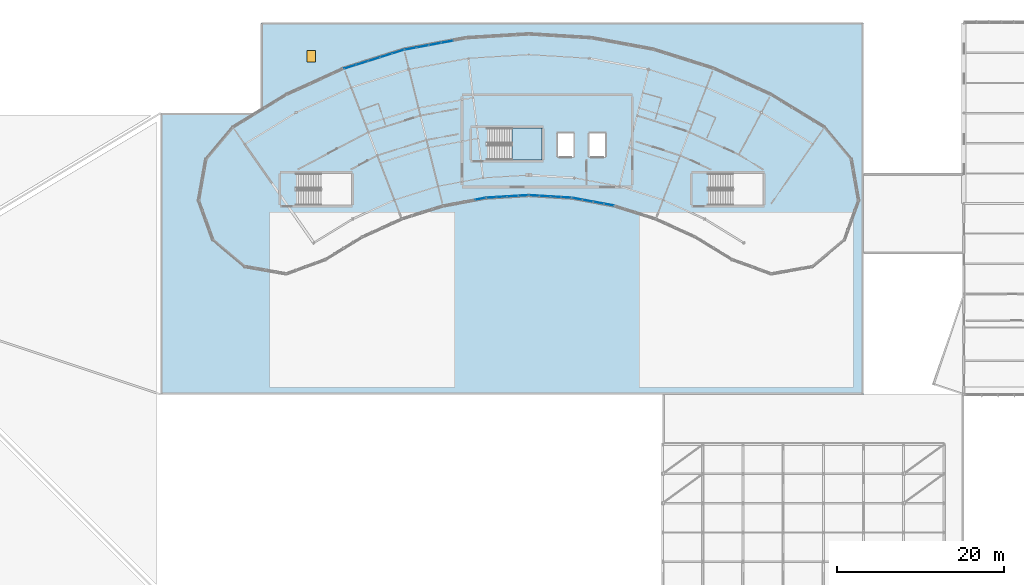
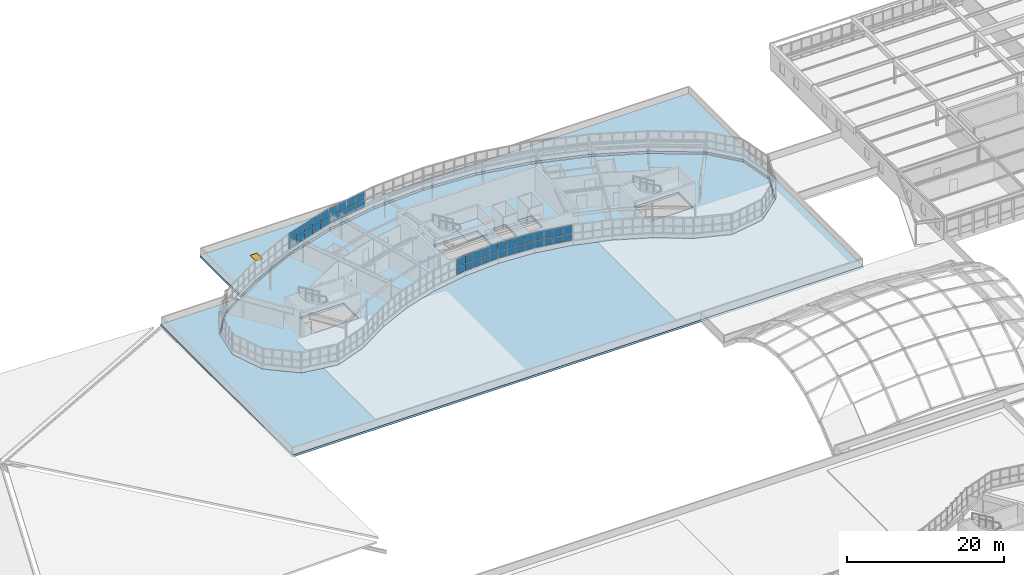
# One storey, part 76 of 128: 44 plates, 3 slabs, 1 door, 1 opening, 7 elements without a shape of their own.
"""IFC4 building model written with IfcOpenShell, lengths in metres."""

from ifc_helpers import new_model, si_unit, direction, frame, origin, origin_2d, place, context, subcontext, project, spatial, polyline, rectangle, outline, extrude, material, layer, layer_set, type_object, element, fill, aggregate, save


model = new_model("IFC4")

# Units and contexts
model_context = context("Model", 3, precision=1e-05, world=origin(), true_north=direction((0.0, 1.0)))
body_context = subcontext(model_context, "Body", "Model", "MODEL_VIEW")
ifc_project = project(units=[si_unit("LENGTHUNIT", "METRE"), si_unit("AREAUNIT", "SQUARE_METRE"), si_unit("VOLUMEUNIT", "CUBIC_METRE"), si_unit("PLANEANGLEUNIT", "RADIAN"), si_unit("MASSUNIT", "GRAM", prefix="KILO")], contexts=[model_context])

# Site, building, storey
site_placement = place(None, origin())
site = spatial("IfcSite", under=ifc_project, at=site_placement, CompositionType="ELEMENT")
building_placement = place(site_placement, origin())
building = spatial("IfcBuilding", under=site, at=building_placement, Name="Tarnwether General Hospital", CompositionType="ELEMENT")
storey_placement = place(building_placement, frame((0.0, 0.0, 14.39990234375)))
storey = spatial("IfcBuildingStorey", under=building, at=storey_placement, Name="L03", CompositionType="ELEMENT", Elevation=14.39990234375)

# Curtain wall, plates
ifc_material_1 = material(Name="Anodised aluminium", Category="aluminium")
ifc_layer_1 = layer(ifc_material_1, 0.159912109375)
ifc_layer_set_1 = layer_set([ifc_layer_1], Name="Anodised aluminium")
curtain_wall_type_1 = type_object("IfcCurtainWallType", Name="CW-03", PredefinedType="NOTDEFINED", material=ifc_layer_set_1)
curtain_wall_1_placement = place(storey_placement, origin())
curtain_wall_1 = element("IfcCurtainWall", 1, at=curtain_wall_1_placement, inside=storey, type_object=curtain_wall_type_1, Name="Curtain Wall CWG-L03-868_1051-0009", PredefinedType="NOTDEFINED")
ifc_material_2 = material(Name="Double glazed low-E glass", Category="glass")
ifc_layer_2 = layer(ifc_material_2, 0.028076171875)
ifc_layer_set_2 = layer_set([ifc_layer_2], Name="Double glazed low-E glass")
plate_type_1 = type_object("IfcPlateType", Name="PT-CWP1", PredefinedType="CURTAIN_PANEL", material=ifc_layer_set_2)
plate_1_placement = place(storey_placement, frame((86.181884765625, 104.96337890625, 1.110107421875), z_axis=(0.0, 0.0, 1.0), x_axis=(-0.983267910924, -0.182165351666, 0.0)))
plate_1 = element("IfcPlate", 2, at=plate_1_placement, type_object=plate_type_1, Name="CW-03 panel 1.1", PredefinedType="CURTAIN_PANEL", context=body_context, shape_type="SweptSolid", body=[
    extrude(rectangle(XDim=1.2041015625, YDim=0.028076171875, at=origin_2d()), origin(), (0.0, 0.0, 1.0), 1.03955078125),
])
plate_2_placement = place(storey_placement, frame((86.181884765625, 104.96337890625, 2.20947265625), z_axis=(0.0, 0.0, 1.0), x_axis=(-0.983267910924, -0.182165351666, 0.0)))
plate_2 = element("IfcPlate", 3, at=plate_2_placement, type_object=plate_type_1, Name="CW-03 panel 1.2", PredefinedType="CURTAIN_PANEL", context=body_context, shape_type="SweptSolid", body=[
    extrude(rectangle(XDim=1.2041015625, YDim=0.028076171875, at=origin_2d()), origin(), (0.0, 0.0, 1.0), 1.29052734375),
])
aggregate(curtain_wall_1, [plate_1, plate_2])

curtain_wall_2_placement = place(storey_placement, origin())
curtain_wall_2 = element("IfcCurtainWall", 4, at=curtain_wall_2_placement, inside=storey, type_object=curtain_wall_type_1, Name="Curtain Wall CWG-L03-972_1051-0011", PredefinedType="NOTDEFINED")
plate_3_placement = place(storey_placement, frame((96.5048828125, 105.12451171875, 1.115234375), z_axis=(0.0, 0.0, 1.0), x_axis=(-0.998135119267, 0.06104329354, 0.0)))
plate_3 = element("IfcPlate", 5, at=plate_3_placement, type_object=plate_type_1, Name="CW-03 panel 1.1", PredefinedType="CURTAIN_PANEL", context=body_context, shape_type="SweptSolid", body=[
    extrude(rectangle(XDim=1.19677734375, YDim=0.028076171875, at=origin_2d()), origin(), (0.0, 0.0, 1.0), 1.031982421875),
])
plate_4_placement = place(storey_placement, frame((96.5048828125, 105.12451171875, 2.2119140625), z_axis=(0.0, 0.0, 1.0), x_axis=(-0.998135119267, 0.06104329354, 0.0)))
plate_4 = element("IfcPlate", 6, at=plate_4_placement, type_object=plate_type_1, Name="CW-03 panel 1.2", PredefinedType="CURTAIN_PANEL", context=body_context, shape_type="SweptSolid", body=[
    extrude(rectangle(XDim=1.19677734375, YDim=0.028076171875, at=origin_2d()), origin(), (0.0, 0.0, 1.0), 1.282958984375),
])
plate_5_placement = place(storey_placement, frame((95.2294921875, 105.202392578125, 1.115234375), z_axis=(0.0, 0.0, 1.0), x_axis=(-0.998135119267, 0.06104329354, 0.0)))
plate_5 = element("IfcPlate", 7, at=plate_5_placement, type_object=plate_type_1, Name="CW-03 panel 2.1", PredefinedType="CURTAIN_PANEL", context=body_context, shape_type="SweptSolid", body=[
    extrude(rectangle(XDim=1.229248046875, YDim=0.028076171875, at=origin_2d()), origin(), (0.0, 0.0, 1.0), 1.031982421875),
])
plate_6_placement = place(storey_placement, frame((95.2294921875, 105.202392578125, 2.2119140625), z_axis=(0.0, 0.0, 1.0), x_axis=(-0.998135119267, 0.06104329354, 0.0)))
plate_6 = element("IfcPlate", 8, at=plate_6_placement, type_object=plate_type_1, Name="CW-03 panel 2.2", PredefinedType="CURTAIN_PANEL", context=body_context, shape_type="SweptSolid", body=[
    extrude(rectangle(XDim=1.229248046875, YDim=0.028076171875, at=origin_2d()), origin(), (0.0, 0.0, 1.0), 1.282958984375),
])
plate_7_placement = place(storey_placement, frame((93.937744140625, 105.281494140625, 1.115234375), z_axis=(0.0, 0.0, 1.0), x_axis=(-0.998135119267, 0.06104329354, 0.0)))
plate_7 = element("IfcPlate", 9, at=plate_7_placement, type_object=plate_type_1, Name="CW-03 panel 3.1", PredefinedType="CURTAIN_PANEL", context=body_context, shape_type="SweptSolid", body=[
    extrude(rectangle(XDim=1.229248046875, YDim=0.028076171875, at=origin_2d()), origin(), (0.0, 0.0, 1.0), 1.031982421875),
])
plate_8_placement = place(storey_placement, frame((93.937744140625, 105.281494140625, 2.2119140625), z_axis=(0.0, 0.0, 1.0), x_axis=(-0.998135119267, 0.06104329354, 0.0)))
plate_8 = element("IfcPlate", 10, at=plate_8_placement, type_object=plate_type_1, Name="CW-03 panel 3.2", PredefinedType="CURTAIN_PANEL", context=body_context, shape_type="SweptSolid", body=[
    extrude(rectangle(XDim=1.229248046875, YDim=0.028076171875, at=origin_2d()), origin(), (0.0, 0.0, 1.0), 1.282958984375),
])
plate_9_placement = place(storey_placement, frame((92.662109375, 105.359619140625, 1.115234375), z_axis=(0.0, 0.0, 1.0), x_axis=(-0.998135119267, 0.06104329354, 0.0)))
plate_9 = element("IfcPlate", 11, at=plate_9_placement, type_object=plate_type_1, Name="CW-03 panel 4.1", PredefinedType="CURTAIN_PANEL", context=body_context, shape_type="SweptSolid", body=[
    extrude(rectangle(XDim=1.19677734375, YDim=0.028076171875, at=origin_2d()), origin(), (0.0, 0.0, 1.0), 1.031982421875),
])
plate_10_placement = place(storey_placement, frame((92.662109375, 105.359619140625, 2.2119140625), z_axis=(0.0, 0.0, 1.0), x_axis=(-0.998135119267, 0.06104329354, 0.0)))
plate_10 = element("IfcPlate", 12, at=plate_10_placement, type_object=plate_type_1, Name="CW-03 panel 4.2", PredefinedType="CURTAIN_PANEL", context=body_context, shape_type="SweptSolid", body=[
    extrude(rectangle(XDim=1.19677734375, YDim=0.028076171875, at=origin_2d()), origin(), (0.0, 0.0, 1.0), 1.282958984375),
])
aggregate(curtain_wall_2, [plate_3, plate_4, plate_5, plate_6, plate_7, plate_8, plate_9, plate_10])

curtain_wall_3_placement = place(storey_placement, origin())
curtain_wall_3 = element("IfcCurtainWall", 13, at=curtain_wall_3_placement, inside=storey, type_object=curtain_wall_type_1, Name="Curtain Wall CWG-L03-1023_1041-0012", PredefinedType="NOTDEFINED")
plate_11_placement = place(storey_placement, frame((101.60107421875, 104.262451171875, 1.1298828125), z_axis=(0.0, 0.0, 1.0), x_axis=(-0.983267910924, 0.182165351666, 0.0)))
plate_11 = element("IfcPlate", 14, at=plate_11_placement, type_object=plate_type_1, Name="CW-03 panel 1.1", PredefinedType="CURTAIN_PANEL", context=body_context, shape_type="SweptSolid", body=[
    extrude(rectangle(XDim=1.174072265625, YDim=0.028076171875, at=origin_2d()), origin(), (0.0, 0.0, 1.0), 1.009521484375),
])
plate_12_placement = place(storey_placement, frame((101.60107421875, 104.262451171875, 2.2197265625), z_axis=(0.0, 0.0, 1.0), x_axis=(-0.983267910924, 0.182165351666, 0.0)))
plate_12 = element("IfcPlate", 15, at=plate_12_placement, type_object=plate_type_1, Name="CW-03 panel 1.2", PredefinedType="CURTAIN_PANEL", context=body_context, shape_type="SweptSolid", body=[
    extrude(rectangle(XDim=1.174072265625, YDim=0.028076171875, at=origin_2d()), origin(), (0.0, 0.0, 1.0), 1.260498046875),
])
plate_13_placement = place(storey_placement, frame((100.34814453125, 104.49462890625, 1.1298828125), z_axis=(0.0, 0.0, 1.0), x_axis=(-0.983267910924, 0.182165351666, 0.0)))
plate_13 = element("IfcPlate", 16, at=plate_13_placement, type_object=plate_type_1, Name="CW-03 panel 2.1", PredefinedType="CURTAIN_PANEL", context=body_context, shape_type="SweptSolid", body=[
    extrude(rectangle(XDim=1.214111328125, YDim=0.028076171875, at=origin_2d()), origin(), (0.0, 0.0, 1.0), 1.009521484375),
])
plate_14_placement = place(storey_placement, frame((100.34814453125, 104.49462890625, 2.2197265625), z_axis=(0.0, 0.0, 1.0), x_axis=(-0.983267910924, 0.182165351666, 0.0)))
plate_14 = element("IfcPlate", 17, at=plate_14_placement, type_object=plate_type_1, Name="CW-03 panel 2.2", PredefinedType="CURTAIN_PANEL", context=body_context, shape_type="SweptSolid", body=[
    extrude(rectangle(XDim=1.214111328125, YDim=0.028076171875, at=origin_2d()), origin(), (0.0, 0.0, 1.0), 1.260498046875),
])
plate_15_placement = place(storey_placement, frame((99.07568359375, 104.73046875, 1.1298828125), z_axis=(0.0, 0.0, 1.0), x_axis=(-0.983267910924, 0.182165351666, 0.0)))
plate_15 = element("IfcPlate", 18, at=plate_15_placement, type_object=plate_type_1, Name="CW-03 panel 3.1", PredefinedType="CURTAIN_PANEL", context=body_context, shape_type="SweptSolid", body=[
    extrude(rectangle(XDim=1.214111328125, YDim=0.028076171875, at=origin_2d()), origin(), (0.0, 0.0, 1.0), 1.009521484375),
])
plate_16_placement = place(storey_placement, frame((99.07568359375, 104.73046875, 2.2197265625), z_axis=(0.0, 0.0, 1.0), x_axis=(-0.983267910924, 0.182165351666, 0.0)))
plate_16 = element("IfcPlate", 19, at=plate_16_placement, type_object=plate_type_1, Name="CW-03 panel 3.2", PredefinedType="CURTAIN_PANEL", context=body_context, shape_type="SweptSolid", body=[
    extrude(rectangle(XDim=1.214111328125, YDim=0.028076171875, at=origin_2d()), origin(), (0.0, 0.0, 1.0), 1.260498046875),
])
plate_17_placement = place(storey_placement, frame((97.822998046875, 104.96240234375, 1.1298828125), z_axis=(0.0, 0.0, 1.0), x_axis=(-0.983267910924, 0.182165351666, 0.0)))
plate_17 = element("IfcPlate", 20, at=plate_17_placement, type_object=plate_type_1, Name="CW-03 panel 4.1", PredefinedType="CURTAIN_PANEL", context=body_context, shape_type="SweptSolid", body=[
    extrude(rectangle(XDim=1.174072265625, YDim=0.028076171875, at=origin_2d()), origin(), (0.0, 0.0, 1.0), 1.009521484375),
])
plate_18_placement = place(storey_placement, frame((97.822998046875, 104.96240234375, 2.2197265625), z_axis=(0.0, 0.0, 1.0), x_axis=(-0.983267910924, 0.182165351666, 0.0)))
plate_18 = element("IfcPlate", 21, at=plate_18_placement, type_object=plate_type_1, Name="CW-03 panel 4.2", PredefinedType="CURTAIN_PANEL", context=body_context, shape_type="SweptSolid", body=[
    extrude(rectangle(XDim=1.174072265625, YDim=0.028076171875, at=origin_2d()), origin(), (0.0, 0.0, 1.0), 1.260498046875),
])
aggregate(curtain_wall_3, [plate_11, plate_12, plate_13, plate_14, plate_15, plate_16, plate_17, plate_18])

ifc_material_3 = material(Name="Anodised aluminium", Category="aluminium")
ifc_layer_3 = layer(ifc_material_3, 0.159912109375)
ifc_layer_set_3 = layer_set([ifc_layer_3], Name="Anodised aluminium")
curtain_wall_type_2 = type_object("IfcCurtainWallType", Name="CW-01", PredefinedType="NOTDEFINED", material=ifc_layer_set_3)
curtain_wall_4_placement = place(storey_placement, origin())
curtain_wall_4 = element("IfcCurtainWall", 22, at=curtain_wall_4_placement, inside=storey, type_object=curtain_wall_type_2, Name="Curtain Wall CWG-L03-699_1205-0029", PredefinedType="NOTDEFINED")
plate_19_placement = place(storey_placement, frame((70.656494140625, 120.739501953125, 1.110107421875), z_axis=(0.0, 0.0, 1.0), x_axis=(0.953741284032, 0.300628613299, 0.0)))
plate_19 = element("IfcPlate", 23, at=plate_19_placement, type_object=plate_type_1, Name="CW-01 panel 1.1", PredefinedType="CURTAIN_PANEL", context=body_context, shape_type="SweptSolid", body=[
    extrude(rectangle(XDim=1.4140625, YDim=0.028076171875, at=origin_2d()), origin(), (0.0, 0.0, 1.0), 1.03955078125),
])
plate_20_placement = place(storey_placement, frame((70.656494140625, 120.739501953125, 2.20947265625), z_axis=(0.0, 0.0, 1.0), x_axis=(0.953741284032, 0.300628613299, 0.0)))
plate_20 = element("IfcPlate", 24, at=plate_20_placement, type_object=plate_type_1, Name="CW-01 panel 1.2", PredefinedType="CURTAIN_PANEL", context=body_context, shape_type="SweptSolid", body=[
    extrude(rectangle(XDim=1.4140625, YDim=0.028076171875, at=origin_2d()), origin(), (0.0, 0.0, 1.0), 1.29052734375),
])
plate_21_placement = place(storey_placement, frame((72.076904296875, 121.187255859375, 1.110107421875), z_axis=(0.0, 0.0, 1.0), x_axis=(0.953741284032, 0.300628613299, 0.0)))
plate_21 = element("IfcPlate", 25, at=plate_21_placement, type_object=plate_type_1, Name="CW-01 panel 2.1", PredefinedType="CURTAIN_PANEL", context=body_context, shape_type="SweptSolid", body=[
    extrude(rectangle(XDim=1.444091796875, YDim=0.028076171875, at=origin_2d()), origin(), (0.0, 0.0, 1.0), 1.03955078125),
])
plate_22_placement = place(storey_placement, frame((72.076904296875, 121.187255859375, 2.20947265625), z_axis=(0.0, 0.0, 1.0), x_axis=(0.953741284032, 0.300628613299, 0.0)))
plate_22 = element("IfcPlate", 26, at=plate_22_placement, type_object=plate_type_1, Name="CW-01 panel 2.2", PredefinedType="CURTAIN_PANEL", context=body_context, shape_type="SweptSolid", body=[
    extrude(rectangle(XDim=1.444091796875, YDim=0.028076171875, at=origin_2d()), origin(), (0.0, 0.0, 1.0), 1.29052734375),
])
plate_23_placement = place(storey_placement, frame((73.511474609375, 121.639404296875, 1.110107421875), z_axis=(0.0, 0.0, 1.0), x_axis=(0.953741284032, 0.300628613299, 0.0)))
plate_23 = element("IfcPlate", 27, at=plate_23_placement, type_object=plate_type_1, Name="CW-01 panel 3.1", PredefinedType="CURTAIN_PANEL", context=body_context, shape_type="SweptSolid", body=[
    extrude(rectangle(XDim=1.444091796875, YDim=0.028076171875, at=origin_2d()), origin(), (0.0, 0.0, 1.0), 1.03955078125),
])
plate_24_placement = place(storey_placement, frame((73.511474609375, 121.639404296875, 2.20947265625), z_axis=(0.0, 0.0, 1.0), x_axis=(0.953741284032, 0.300628613299, 0.0)))
plate_24 = element("IfcPlate", 28, at=plate_24_placement, type_object=plate_type_1, Name="CW-01 panel 3.2", PredefinedType="CURTAIN_PANEL", context=body_context, shape_type="SweptSolid", body=[
    extrude(rectangle(XDim=1.444091796875, YDim=0.028076171875, at=origin_2d()), origin(), (0.0, 0.0, 1.0), 1.29052734375),
])
plate_25_placement = place(storey_placement, frame((74.946044921875, 122.091796875, 1.110107421875), z_axis=(0.0, 0.0, 1.0), x_axis=(0.953741284032, 0.300628613299, 0.0)))
plate_25 = element("IfcPlate", 29, at=plate_25_placement, type_object=plate_type_1, Name="CW-01 panel 4.1", PredefinedType="CURTAIN_PANEL", context=body_context, shape_type="SweptSolid", body=[
    extrude(rectangle(XDim=1.444091796875, YDim=0.028076171875, at=origin_2d()), origin(), (0.0, 0.0, 1.0), 1.03955078125),
])
plate_26_placement = place(storey_placement, frame((74.946044921875, 122.091796875, 2.20947265625), z_axis=(0.0, 0.0, 1.0), x_axis=(0.953741284032, 0.300628613299, 0.0)))
plate_26 = element("IfcPlate", 30, at=plate_26_placement, type_object=plate_type_1, Name="CW-01 panel 4.2", PredefinedType="CURTAIN_PANEL", context=body_context, shape_type="SweptSolid", body=[
    extrude(rectangle(XDim=1.444091796875, YDim=0.028076171875, at=origin_2d()), origin(), (0.0, 0.0, 1.0), 1.29052734375),
])
plate_27_placement = place(storey_placement, frame((76.366455078125, 122.539306640625, 1.110107421875), z_axis=(0.0, 0.0, 1.0), x_axis=(0.953741284032, 0.300628613299, 0.0)))
plate_27 = element("IfcPlate", 31, at=plate_27_placement, type_object=plate_type_1, Name="CW-01 panel 5.1", PredefinedType="CURTAIN_PANEL", context=body_context, shape_type="SweptSolid", body=[
    extrude(rectangle(XDim=1.4140625, YDim=0.028076171875, at=origin_2d()), origin(), (0.0, 0.0, 1.0), 1.03955078125),
])
plate_28_placement = place(storey_placement, frame((76.366455078125, 122.539306640625, 2.20947265625), z_axis=(0.0, 0.0, 1.0), x_axis=(0.953741284032, 0.300628613299, 0.0)))
plate_28 = element("IfcPlate", 32, at=plate_28_placement, type_object=plate_type_1, Name="CW-01 panel 5.2", PredefinedType="CURTAIN_PANEL", context=body_context, shape_type="SweptSolid", body=[
    extrude(rectangle(XDim=1.4140625, YDim=0.028076171875, at=origin_2d()), origin(), (0.0, 0.0, 1.0), 1.29052734375),
])
aggregate(curtain_wall_4, [plate_19, plate_20, plate_21, plate_22, plate_23, plate_24, plate_25, plate_26, plate_27, plate_28])

curtain_wall_5_placement = place(storey_placement, origin())
curtain_wall_5 = element("IfcCurtainWall", 33, at=curtain_wall_5_placement, inside=storey, type_object=curtain_wall_type_1, Name="Curtain Wall CWG-L03-920_1054-0010", PredefinedType="NOTDEFINED")
ifc_material_4 = material(Name="Double glazed low-E glass", Category="glass")
ifc_layer_4 = layer(ifc_material_4, 0.035888671875)
ifc_layer_set_4 = layer_set([ifc_layer_4], Name="Double glazed low-E glass")
plate_type_2 = type_object("IfcPlateType", Name="PT-CWP2", PredefinedType="CURTAIN_PANEL", material=ifc_layer_set_4)
plate_29_placement = place(storey_placement, frame((91.336669921875, 105.359375, 1.1201171875), z_axis=(0.0, 0.0, 1.0), x_axis=(-0.998135119267, -0.06104329354, 0.0)))
plate_29 = element("IfcPlate", 34, at=plate_29_placement, type_object=plate_type_2, Name="CW-03 panel 1.1", PredefinedType="CURTAIN_PANEL", context=body_context, shape_type="SweptSolid", body=[
    extrude(rectangle(XDim=1.189208984375, YDim=0.035888671875, at=origin_2d()), origin(), (0.0, 0.0, 1.0), 1.0244140625),
])
plate_30_placement = place(storey_placement, frame((91.336669921875, 105.359375, 2.214599609375), z_axis=(0.0, 0.0, 1.0), x_axis=(-0.998135119267, -0.06104329354, 0.0)))
plate_30 = element("IfcPlate", 35, at=plate_30_placement, type_object=plate_type_2, Name="CW-03 panel 1.2", PredefinedType="CURTAIN_PANEL", context=body_context, shape_type="SweptSolid", body=[
    extrude(rectangle(XDim=1.189208984375, YDim=0.035888671875, at=origin_2d()), origin(), (0.0, 0.0, 1.0), 1.275390625),
])
plate_31_placement = place(storey_placement, frame((90.062255859375, 105.281494140625, 1.1201171875), z_axis=(0.0, 0.0, 1.0), x_axis=(-0.998135119267, -0.06104329354, 0.0)))
plate_31 = element("IfcPlate", 36, at=plate_31_placement, type_object=plate_type_2, Name="CW-03 panel 2.1", PredefinedType="CURTAIN_PANEL", context=body_context, shape_type="SweptSolid", body=[
    extrude(rectangle(XDim=1.22412109375, YDim=0.035888671875, at=origin_2d()), origin(), (0.0, 0.0, 1.0), 1.0244140625),
])
plate_32_placement = place(storey_placement, frame((90.062255859375, 105.281494140625, 2.214599609375), z_axis=(0.0, 0.0, 1.0), x_axis=(-0.998135119267, -0.06104329354, 0.0)))
plate_32 = element("IfcPlate", 37, at=plate_32_placement, type_object=plate_type_2, Name="CW-03 panel 2.2", PredefinedType="CURTAIN_PANEL", context=body_context, shape_type="SweptSolid", body=[
    extrude(rectangle(XDim=1.22412109375, YDim=0.035888671875, at=origin_2d()), origin(), (0.0, 0.0, 1.0), 1.275390625),
])
plate_33_placement = place(storey_placement, frame((88.7705078125, 105.202392578125, 1.1201171875), z_axis=(0.0, 0.0, 1.0), x_axis=(-0.998135119267, -0.06104329354, 0.0)))
plate_33 = element("IfcPlate", 38, at=plate_33_placement, type_object=plate_type_2, Name="CW-03 panel 3.1", PredefinedType="CURTAIN_PANEL", context=body_context, shape_type="SweptSolid", body=[
    extrude(rectangle(XDim=1.22412109375, YDim=0.035888671875, at=origin_2d()), origin(), (0.0, 0.0, 1.0), 1.0244140625),
])
plate_34_placement = place(storey_placement, frame((88.7705078125, 105.202392578125, 2.214599609375), z_axis=(0.0, 0.0, 1.0), x_axis=(-0.998135119267, -0.06104329354, 0.0)))
plate_34 = element("IfcPlate", 39, at=plate_34_placement, type_object=plate_type_2, Name="CW-03 panel 3.2", PredefinedType="CURTAIN_PANEL", context=body_context, shape_type="SweptSolid", body=[
    extrude(rectangle(XDim=1.22412109375, YDim=0.035888671875, at=origin_2d()), origin(), (0.0, 0.0, 1.0), 1.275390625),
])
plate_35_placement = place(storey_placement, frame((87.496337890625, 105.12451171875, 1.1201171875), z_axis=(0.0, 0.0, 1.0), x_axis=(-0.998135119267, -0.06104329354, 0.0)))
plate_35 = element("IfcPlate", 40, at=plate_35_placement, type_object=plate_type_2, Name="CW-03 panel 4.1", PredefinedType="CURTAIN_PANEL", context=body_context, shape_type="SweptSolid", body=[
    extrude(rectangle(XDim=1.189208984375, YDim=0.035888671875, at=origin_2d()), origin(), (0.0, 0.0, 1.0), 1.0244140625),
])
plate_36_placement = place(storey_placement, frame((87.496337890625, 105.12451171875, 2.214599609375), z_axis=(0.0, 0.0, 1.0), x_axis=(-0.998135119267, -0.06104329354, 0.0)))
plate_36 = element("IfcPlate", 41, at=plate_36_placement, type_object=plate_type_2, Name="CW-03 panel 4.2", PredefinedType="CURTAIN_PANEL", context=body_context, shape_type="SweptSolid", body=[
    extrude(rectangle(XDim=1.189208984375, YDim=0.035888671875, at=origin_2d()), origin(), (0.0, 0.0, 1.0), 1.275390625),
])
aggregate(curtain_wall_5, [plate_29, plate_30, plate_31, plate_32, plate_33, plate_34, plate_35, plate_36])

curtain_wall_6_placement = place(storey_placement, origin())
curtain_wall_6 = element("IfcCurtainWall", 42, at=curtain_wall_6_placement, inside=storey, type_object=curtain_wall_type_2, Name="Curtain Wall CWG-L03-771_1228-0028", PredefinedType="NOTDEFINED")
plate_37_placement = place(storey_placement, frame((77.857177734375, 122.91064453125, 1.1298828125), z_axis=(0.0, 0.0, 1.0), x_axis=(0.983244953132, 0.182289226614, 0.0)))
plate_37 = element("IfcPlate", 43, at=plate_37_placement, type_object=plate_type_2, Name="CW-01 panel 1.1", PredefinedType="CURTAIN_PANEL", context=body_context, shape_type="SweptSolid", body=[
    extrude(rectangle(XDim=1.38427734375, YDim=0.035888671875, at=origin_2d()), origin(), (0.0, 0.0, 1.0), 1.009521484375),
])
plate_38_placement = place(storey_placement, frame((77.857177734375, 122.91064453125, 2.2197265625), z_axis=(0.0, 0.0, 1.0), x_axis=(0.983244953132, 0.182289226614, 0.0)))
plate_38 = element("IfcPlate", 44, at=plate_38_placement, type_object=plate_type_2, Name="CW-01 panel 1.2", PredefinedType="CURTAIN_PANEL", context=body_context, shape_type="SweptSolid", body=[
    extrude(rectangle(XDim=1.38427734375, YDim=0.035888671875, at=origin_2d()), origin(), (0.0, 0.0, 1.0), 1.260498046875),
])
plate_39_placement = place(storey_placement, frame((79.31640625, 123.181396484375, 1.1298828125), z_axis=(0.0, 0.0, 1.0), x_axis=(0.983244953132, 0.182289226614, 0.0)))
plate_39 = element("IfcPlate", 45, at=plate_39_placement, type_object=plate_type_2, Name="CW-01 panel 2.1", PredefinedType="CURTAIN_PANEL", context=body_context, shape_type="SweptSolid", body=[
    extrude(rectangle(XDim=1.42431640625, YDim=0.035888671875, at=origin_2d()), origin(), (0.0, 0.0, 1.0), 1.009521484375),
])
plate_40_placement = place(storey_placement, frame((79.31640625, 123.181396484375, 2.2197265625), z_axis=(0.0, 0.0, 1.0), x_axis=(0.983244953132, 0.182289226614, 0.0)))
plate_40 = element("IfcPlate", 46, at=plate_40_placement, type_object=plate_type_2, Name="CW-01 panel 2.2", PredefinedType="CURTAIN_PANEL", context=body_context, shape_type="SweptSolid", body=[
    extrude(rectangle(XDim=1.42431640625, YDim=0.035888671875, at=origin_2d()), origin(), (0.0, 0.0, 1.0), 1.260498046875),
])
plate_41_placement = place(storey_placement, frame((80.79541015625, 123.45556640625, 1.1298828125), z_axis=(0.0, 0.0, 1.0), x_axis=(0.983244953132, 0.182289226614, 0.0)))
plate_41 = element("IfcPlate", 47, at=plate_41_placement, type_object=plate_type_2, Name="CW-01 panel 3.1", PredefinedType="CURTAIN_PANEL", context=body_context, shape_type="SweptSolid", body=[
    extrude(rectangle(XDim=1.42431640625, YDim=0.035888671875, at=origin_2d()), origin(), (0.0, 0.0, 1.0), 1.009521484375),
])
plate_42_placement = place(storey_placement, frame((80.79541015625, 123.45556640625, 2.2197265625), z_axis=(0.0, 0.0, 1.0), x_axis=(0.983244953132, 0.182289226614, 0.0)))
plate_42 = element("IfcPlate", 48, at=plate_42_placement, type_object=plate_type_2, Name="CW-01 panel 3.2", PredefinedType="CURTAIN_PANEL", context=body_context, shape_type="SweptSolid", body=[
    extrude(rectangle(XDim=1.42431640625, YDim=0.035888671875, at=origin_2d()), origin(), (0.0, 0.0, 1.0), 1.260498046875),
])
plate_43_placement = place(storey_placement, frame((82.2744140625, 123.729736328125, 1.1298828125), z_axis=(0.0, 0.0, 1.0), x_axis=(0.983244953132, 0.182289226614, 0.0)))
plate_43 = element("IfcPlate", 49, at=plate_43_placement, type_object=plate_type_2, Name="CW-01 panel 4.1", PredefinedType="CURTAIN_PANEL", context=body_context, shape_type="SweptSolid", body=[
    extrude(rectangle(XDim=1.42431640625, YDim=0.035888671875, at=origin_2d()), origin(), (0.0, 0.0, 1.0), 1.009521484375),
])
plate_44_placement = place(storey_placement, frame((82.2744140625, 123.729736328125, 2.2197265625), z_axis=(0.0, 0.0, 1.0), x_axis=(0.983244953132, 0.182289226614, 0.0)))
plate_44 = element("IfcPlate", 50, at=plate_44_placement, type_object=plate_type_2, Name="CW-01 panel 4.2", PredefinedType="CURTAIN_PANEL", context=body_context, shape_type="SweptSolid", body=[
    extrude(rectangle(XDim=1.42431640625, YDim=0.035888671875, at=origin_2d()), origin(), (0.0, 0.0, 1.0), 1.260498046875),
])
aggregate(curtain_wall_6, [plate_37, plate_38, plate_39, plate_40, plate_41, plate_42, plate_43, plate_44])

# Slab
ifc_material_5 = material(Name="Concrete 40 MPa", Category="concrete")
ifc_layer_5 = layer(ifc_material_5, 0.3701171875)
ifc_layer_set_5 = layer_set([ifc_layer_5], Name="Concrete 40 MPa")
slab_type_1 = type_object("IfcSlabType", Name="SL-FL260", PredefinedType="FLOOR", material=ifc_layer_set_5)
slab_1_placement = place(storey_placement, frame((0.0, 0.0, -0.369873046875)))
element("IfcSlab", 51, at=slab_1_placement, inside=storey, type_object=slab_type_1, Name="L03 North-West Curved Ward Transfer Floor SL-L03-WNW", PredefinedType="FLOOR", context=body_context, shape_type="SweptSolid", body=[
    extrude(outline(polyline([(56.66796875, 113.4599609375), (63.0810546875, 117.389892578125), (69.925048828125, 120.509033203125), (77.097900390625, 122.77001953125), (84.492919921875, 124.14111328125), (92.0, 124.60009765625), (99.507080078125, 124.14111328125), (106.902099609375, 122.77001953125), (114.074951171875, 120.509033203125), (120.9189453125, 117.389892578125), (127.33203125, 113.4599609375), (130.527099609375, 109.653076171875), (131.388916015625, 104.759033203125), (129.68994140625, 100.090087890625), (125.883056640625, 96.89501953125), (120.989013671875, 96.031982421875), (116.320068359375, 97.73193359375), (111.906005859375, 100.43701171875), (107.195068359375, 102.583984375), (102.257080078125, 104.14111328125), (97.1669921875, 105.083984375), (92.0, 105.39990234375), (86.8330078125, 105.083984375), (81.742919921875, 104.14111328125), (76.804931640625, 102.583984375), (72.093994140625, 100.43701171875), (67.679931640625, 97.73193359375), (63.010986328125, 96.031982421875), (58.116943359375, 96.89501953125), (54.31005859375, 100.090087890625), (52.611083984375, 104.759033203125), (53.472900390625, 109.653076171875), (56.66796875, 113.4599609375)]), holes=[polyline([(70.800048828125, 108.0), (64.3798828125, 108.0), (64.3798828125, 104.199951171875), (70.800048828125, 104.199951171875), (70.800048828125, 108.0)]), polyline([(97.3798828125, 112.830078125), (95.419921875, 112.830078125), (95.419921875, 109.969970703125), (97.3798828125, 109.969970703125), (97.3798828125, 112.830078125)]), polyline([(101.179931640625, 112.830078125), (99.219970703125, 112.830078125), (99.219970703125, 109.969970703125), (101.179931640625, 109.969970703125), (101.179931640625, 112.830078125)]), polyline([(93.60009765625, 113.39990234375), (87.179931640625, 113.39990234375), (87.179931640625, 109.60009765625), (93.60009765625, 109.60009765625), (93.60009765625, 113.39990234375)]), polyline([(120.0, 108.0), (113.580078125, 108.0), (113.580078125, 104.199951171875), (120.0, 104.199951171875), (120.0, 108.0)])]), origin(), (0.0, 0.0, 1.0), 0.369873046875),
])

# Stair, slab
ifc_material_6 = material(Name="Concrete 40 MPa", Category="concrete")
stair_type = type_object("IfcStairType", Name="ST-DL39A", PredefinedType="HALF_TURN_STAIR", material=ifc_material_6)
stair_placement = place(storey_placement, origin())
stair = element("IfcStair", 52, at=stair_placement, inside=storey, type_object=stair_type, Name="L03 Exit Stair ST-01", PredefinedType="HALF_TURN_STAIR")
ifc_material_7 = material(Name="Concrete 40 MPa", Category="concrete")
ifc_layer_6 = layer(ifc_material_7, 0.199951171875)
ifc_layer_set_6 = layer_set([ifc_layer_6], Name="Concrete 40 MPa")
slab_type_2 = type_object("IfcSlabType", Name="SL-LD200", PredefinedType="LANDING", material=ifc_layer_set_6)
slab_2_placement = place(storey_placement, frame((0.0, 0.0, 1.75)))
slab_2 = element("IfcSlab", 53, at=slab_2_placement, type_object=slab_type_2, Name="ST-01 landing 1", PredefinedType="LANDING", context=body_context, shape_type="SweptSolid", body=[
    extrude(outline(polyline([(90.0, 109.60009765625), (93.60009765625, 109.60009765625), (93.60009765625, 113.39990234375), (90.0, 113.39990234375), (90.0, 109.60009765625)])), origin(), (0.0, 0.0, 1.0), 0.2001953125),
])
aggregate(stair, [slab_2])

# Slab, opening, door
ifc_material_8 = material(Name="Concrete 40 MPa", Category="concrete")
ifc_layer_7 = layer(ifc_material_8, 0.330078125)
ifc_layer_set_7 = layer_set([ifc_layer_7], Name="Concrete 40 MPa")
slab_type_3 = type_object("IfcSlabType", Name="SL-RF200", PredefinedType="ROOF", material=ifc_layer_set_7)
slab_3_placement = place(storey_placement, origin())
slab_3 = element("IfcSlab", 54, at=slab_3_placement, inside=storey, type_object=slab_type_3, Name="L03 North Podium Roof SL-L03-PRFN", PredefinedType="ROOF", context=body_context, shape_type="SweptSolid", body=[
    extrude(outline(polyline([(132.0, 81.60009765625), (48.0, 81.60009765625), (48.0, 115.199951171875), (59.412109375, 115.199951171875), (56.64208984375, 113.5029296875), (56.636962890625, 113.5), (56.633056640625, 113.49609375), (56.6298828125, 113.491943359375), (53.43505859375, 109.68505859375), (53.431884765625, 109.680908203125), (53.428955078125, 109.676025390625), (53.427001953125, 109.672119140625), (53.425048828125, 109.6669921875), (53.424072265625, 109.662109375), (52.56201171875, 104.76806640625), (52.56103515625, 104.761962890625), (52.56103515625, 104.757080078125), (52.56103515625, 104.751953125), (52.56201171875, 104.7470703125), (52.56396484375, 104.741943359375), (54.262939453125, 100.072998046875), (54.264892578125, 100.068115234375), (54.26806640625, 100.06396484375), (54.27099609375, 100.05908203125), (54.27392578125, 100.054931640625), (54.278076171875, 100.052001953125), (58.0849609375, 96.85693359375), (58.089111328125, 96.85400390625), (58.093994140625, 96.85107421875), (58.097900390625, 96.84912109375), (58.10302734375, 96.846923828125), (58.10791015625, 96.845947265625), (63.001953125, 95.98291015625), (63.008056640625, 95.98193359375), (63.012939453125, 95.98193359375), (63.01806640625, 95.98193359375), (63.02294921875, 95.98291015625), (63.028076171875, 95.985107421875), (67.697021484375, 97.68505859375), (67.701904296875, 97.68701171875), (67.7060546875, 97.68896484375), (72.117919921875, 100.39306640625), (76.822998046875, 102.537109375), (81.7548828125, 104.092041015625), (86.839111328125, 105.033935546875), (92.0, 105.35009765625), (97.160888671875, 105.033935546875), (102.2451171875, 104.092041015625), (107.177001953125, 102.537109375), (111.882080078125, 100.39306640625), (116.2939453125, 97.68896484375), (116.298095703125, 97.68701171875), (116.302978515625, 97.68505859375), (120.971923828125, 95.985107421875), (120.97705078125, 95.98291015625), (120.98193359375, 95.98193359375), (120.987060546875, 95.98193359375), (120.991943359375, 95.98193359375), (120.998046875, 95.98291015625), (125.89208984375, 96.845947265625), (125.89697265625, 96.846923828125), (125.902099609375, 96.84912109375), (125.906005859375, 96.85107421875), (125.910888671875, 96.85400390625), (125.9150390625, 96.85693359375), (129.721923828125, 100.052001953125), (129.72607421875, 100.054931640625), (129.72900390625, 100.05908203125), (129.73193359375, 100.06396484375), (129.735107421875, 100.068115234375), (129.737060546875, 100.072998046875), (131.43603515625, 104.741943359375), (131.43798828125, 104.7470703125), (131.43896484375, 104.751953125), (131.43896484375, 104.757080078125), (131.43896484375, 104.761962890625), (131.43798828125, 104.76806640625), (130.575927734375, 109.662109375), (130.574951171875, 109.6669921875), (130.572998046875, 109.672119140625), (130.571044921875, 109.676025390625), (130.568115234375, 109.680908203125), (130.56494140625, 109.68505859375), (127.3701171875, 113.491943359375), (127.366943359375, 113.49609375), (127.363037109375, 113.5), (127.35791015625, 113.5029296875), (120.945068359375, 117.43310546875), (120.93994140625, 117.43505859375), (114.095947265625, 120.553955078125), (114.090087890625, 120.556884765625), (106.9169921875, 122.818115234375), (106.910888671875, 122.819091796875), (99.51611328125, 124.18994140625), (99.510009765625, 124.19091796875), (92.0029296875, 124.64990234375), (91.9970703125, 124.64990234375), (84.489990234375, 124.19091796875), (84.48388671875, 124.18994140625), (77.089111328125, 122.819091796875), (77.0830078125, 122.818115234375), (69.909912109375, 120.556884765625), (69.904052734375, 120.553955078125), (63.06005859375, 117.43505859375), (63.054931640625, 117.43310546875), (60.0, 115.56103515625), (60.0, 126.0), (132.0, 126.0), (132.0, 81.60009765625)])), origin(), (0.0, 0.0, 1.0), 0.330078125),
])
opening_placement = place(slab_3_placement, frame((66.0, 122.0, 0.0)))
opening = element("IfcOpeningElement", 55, at=opening_placement, cuts=slab_3, Name="Opening RH-02", PredefinedType="OPENING", context=body_context, shape_type="SweptSolid", body=[
    extrude(rectangle(XDim=1.0, YDim=1.39990234375, at=origin_2d()), origin(), (0.0, 0.0, 1.0), 0.330078125),
])
ifc_material_9 = material(Name="Anodised aluminium", Category="aluminium")
door_type = type_object("IfcDoorType", Name="DR-HT02", OperationType="NOTDEFINED", PredefinedType="TRAPDOOR", material=ifc_material_9)
door_placement = place(opening_placement, frame((0.0, 0.0, 0.280029296875)))
door = element("IfcDoor", 56, at=door_placement, inside=storey, type_object=door_type, Name="Roof Maintenance Access Hatch 002", OperationType="SINGLE_SWING_LEFT", OverallHeight=1.39990234375, OverallWidth=1.0, PredefinedType="TRAPDOOR", context=body_context, shape_type="SweptSolid", body=[
    extrude(rectangle(XDim=1.0, YDim=1.39990234375, at=origin_2d()), origin(), (0.0, 0.0, 1.0), 0.050048828125),
])
fill(opening, door)

save(model, "model.ifc")
